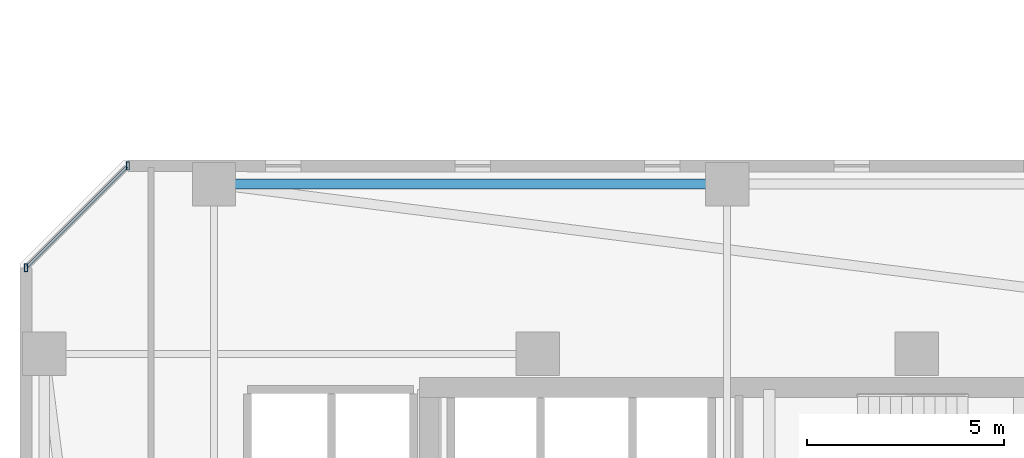
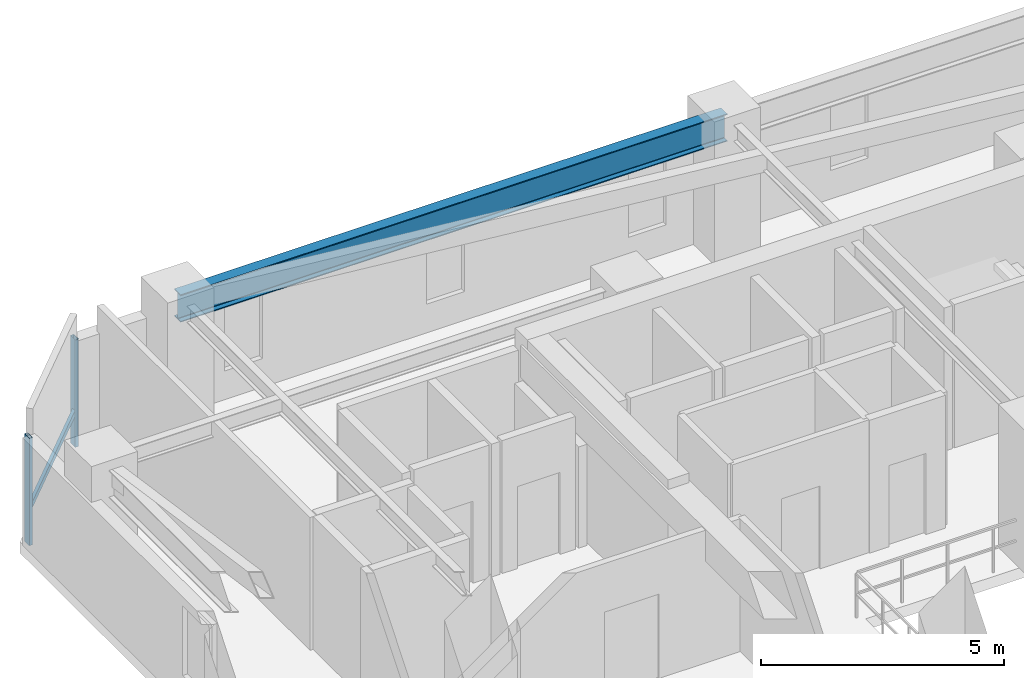
# One storey, part 8 of 32: 3 members, 1 beam, 1 element without a shape of its own.
"""IFC4 building model written with IfcOpenShell, lengths in metres."""

from ifc_helpers import new_model, si_unit, direction, frame, origin, origin_2d, place, context, subcontext, project, spatial, hollow_rectangle, i_section, extrude, material, material_profile, profile_set, type_object, element, aggregate, save


model = new_model("IFC4")

# Units and contexts
model_context = context("Model", 3, precision=1e-05, world=origin(), true_north=direction((0.0, 1.0)))
body_context = subcontext(model_context, "Body", "Model", "MODEL_VIEW")
ifc_project = project(units=[si_unit("LENGTHUNIT", "METRE"), si_unit("AREAUNIT", "SQUARE_METRE"), si_unit("VOLUMEUNIT", "CUBIC_METRE"), si_unit("PLANEANGLEUNIT", "RADIAN"), si_unit("MASSUNIT", "GRAM", prefix="KILO")], contexts=[model_context])

# Site, building, storey
site_placement = place(None, origin())
site = spatial("IfcSite", under=ifc_project, at=site_placement, CompositionType="ELEMENT")
building_placement = place(site_placement, origin())
building = spatial("IfcBuilding", under=site, at=building_placement, Name="Thornwick Lancets Civic Towers", CompositionType="ELEMENT")
storey_placement = place(building_placement, frame((0.0, 0.0, 152.699951171875)))
storey = spatial("IfcBuildingStorey", under=building, at=storey_placement, Name="L40", CompositionType="ELEMENT", Elevation=152.699951171875)

# Beam
ifc_material_1 = material(Name="Steel S355JR", Category="steel")
ifc_material_profile_1 = material_profile(ifc_material_1, i_section(OverallWidth=0.255859375, OverallDepth=0.69287109375, WebThickness=0.014404296875, FlangeThickness=0.023681640625, FilletRadius=0.01513671875, at=origin_2d()), Name="UKB 686x254x170")
ifc_profile_set_1 = profile_set([ifc_material_profile_1], Name="Steel S355JR")
beam_type = type_object("IfcBeamType", Name="BM_GIRD_686_170", PredefinedType="BEAM", material=ifc_profile_set_1)
beam_placement = place(storey_placement, frame((12.5, 44.300048828125, 3.013427734375), z_axis=(1.0, 0.0, 0.0), x_axis=(0.0, 1.0, 0.0)))
element("IfcBeam", 1, at=beam_placement, inside=storey, type_object=beam_type, Name="BM-SPINE-L40-A-6-7", PredefinedType="BEAM", context=body_context, shape_type="SweptSolid", body=[
    extrude(i_section(OverallWidth=0.255859375, OverallDepth=0.69287109375, WebThickness=0.014404296875, FlangeThickness=0.023681640625, FilletRadius=0.01513671875, at=origin_2d()), origin(), (0.0, 0.0, 1.0), 13.0),
])

# Curtain wall, members
ifc_material_2 = material(Name="Mid-zone chamfered-corner unitised glass curtain wall", Category="glass")
curtain_wall_type = type_object("IfcCurtainWallType", Name="CW_SYS_04", PredefinedType="NOTDEFINED", material=ifc_material_2)
curtain_wall_placement = place(storey_placement, origin())
curtain_wall = element("IfcCurtainWall", 2, at=curtain_wall_placement, inside=storey, type_object=curtain_wall_type, Name="L40 Curtain Wall CW-L40-A-E5", PredefinedType="NOTDEFINED")
ifc_material_3 = material(Name="Thermally broken bronze aluminium S355", Category="steel")
ifc_material_profile_2 = material_profile(ifc_material_3, hollow_rectangle(XDim=0.080078125, YDim=0.199951171875, WallThickness=0.006103515625, at=origin_2d()), Name="RHS 200x80x6")
ifc_profile_set_2 = profile_set([ifc_material_profile_2], Name="Thermally broken bronze aluminium S355")
member_type_1 = type_object("IfcMemberType", Name="CW_MUL_200", PredefinedType="MULLION", material=ifc_profile_set_2)
member_1_placement = place(storey_placement, frame((10.318603515625, 44.7646484375, 0.0), z_axis=(0.0, 0.0, 1.0), x_axis=(1.0, 0.0, 0.0)))
member_1 = element("IfcMember", 3, at=member_1_placement, type_object=member_type_1, Name="CW-L40-A-E5 Mullion 0", PredefinedType="MULLION", context=body_context, shape_type="SweptSolid", body=[
    extrude(hollow_rectangle(XDim=0.080078125, YDim=0.199951171875, WallThickness=0.006103515625, at=origin_2d()), origin(), (0.0, 0.0, 1.0), 2.699951171875),
])
member_2_placement = place(storey_placement, frame((7.7353515625, 42.181396484375, 0.0), z_axis=(0.0, 0.0, 1.0), x_axis=(1.0, 0.0, 0.0)))
member_2 = element("IfcMember", 4, at=member_2_placement, type_object=member_type_1, Name="CW-L40-A-E5 Mullion 1", PredefinedType="MULLION", context=body_context, shape_type="SweptSolid", body=[
    extrude(hollow_rectangle(XDim=0.080078125, YDim=0.199951171875, WallThickness=0.006103515625, at=origin_2d()), origin(), (0.0, 0.0, 1.0), 2.699951171875),
])
ifc_material_profile_3 = material_profile(ifc_material_3, hollow_rectangle(XDim=0.074951171875, YDim=0.14990234375, WallThickness=0.0048828125, at=origin_2d()), Name="RHS 150x75x5")
ifc_profile_set_3 = profile_set([ifc_material_profile_3], Name="Thermally broken bronze aluminium S355")
member_type_2 = type_object("IfcMemberType", Name="CW_TRN_150", PredefinedType="USERDEFINED", material=ifc_profile_set_3)
member_3_placement = place(storey_placement, frame((10.304443359375, 44.75048828125, 0.85009765625), z_axis=(-0.707106781187, -0.707106781187, 0.0), x_axis=(0.707106781187, -0.707106781187, 0.0)))
member_3 = element("IfcMember", 5, at=member_3_placement, type_object=member_type_2, Name="CW-L40-A-E5 Transom 0", ObjectType="TRANSOM", PredefinedType="USERDEFINED", context=body_context, shape_type="SweptSolid", body=[
    extrude(hollow_rectangle(XDim=0.074951171875, YDim=0.14990234375, WallThickness=0.0048828125, at=origin_2d()), origin(), (0.0, 0.0, 1.0), 3.61328125),
])
aggregate(curtain_wall, [member_1, member_2, member_3])

save(model, "model.ifc")
